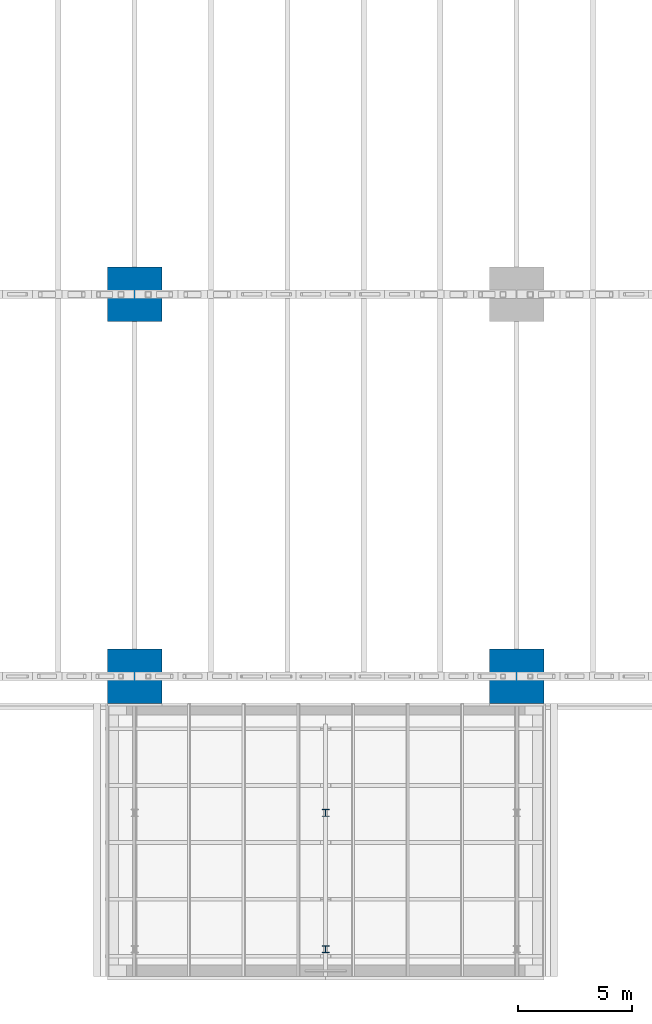
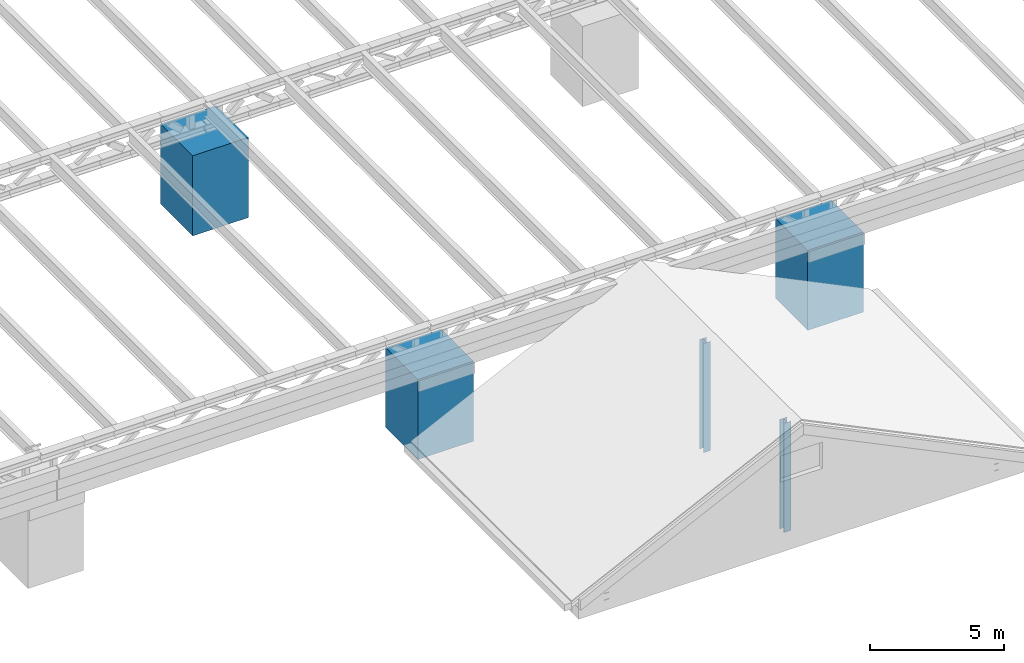
# One storey, part 5 of 93: 5 columns.
"""IFC4 building model written with IfcOpenShell, lengths in metres."""

from ifc_helpers import new_model, si_unit, direction, frame, origin, origin_2d, place, context, subcontext, project, spatial, rectangle, i_section, extrude, material, material_profile, profile_set, type_object, element, save


model = new_model("IFC4")

# Units and contexts
model_context = context("Model", 3, precision=1e-05, world=origin(), true_north=direction((0.0, 1.0)))
body_context = subcontext(model_context, "Body", "Model", "MODEL_VIEW")
ifc_project = project(units=[si_unit("LENGTHUNIT", "METRE"), si_unit("AREAUNIT", "SQUARE_METRE"), si_unit("VOLUMEUNIT", "CUBIC_METRE"), si_unit("PLANEANGLEUNIT", "RADIAN"), si_unit("MASSUNIT", "GRAM", prefix="KILO")], contexts=[model_context])

# Site, building, storey
site_placement = place(None, origin())
site = spatial("IfcSite", under=ifc_project, at=site_placement, CompositionType="ELEMENT")
building_placement = place(site_placement, origin())
building = spatial("IfcBuilding", under=site, at=building_placement, Name="Verrick Yard Athletic Hall", CompositionType="ELEMENT")
storey_placement = place(building_placement, frame((0.0, 0.0, 8.800048828125)))
storey = spatial("IfcBuildingStorey", under=building, at=storey_placement, Name="L02", CompositionType="ELEMENT", Elevation=8.800048828125)

# Columns
ifc_material_1 = material(Name="Concrete 35 MPa", Category="concrete")
ifc_material_profile_1 = material_profile(ifc_material_1, rectangle(XDim=2.39990234375, YDim=2.39990234375, at=origin_2d()), Name="STR Buttress pier PR1")
ifc_profile_set_1 = profile_set([ifc_material_profile_1], Name="Concrete 35 MPa")
column_type_1 = type_object("IfcColumnType", Name="STR Buttress pier PR1", PredefinedType="COLUMN", material=ifc_profile_set_1)
for number, where, z_axis, x_axis, name in (
    (1, (90.39990234375, 19.199951171875, 0.0), (0.0, 0.0, 1.0), (1.0, 0.0, 0.0), "Buttress pier P4A"),
    (2, (107.199951171875, 19.199951171875, 0.0), (0.0, 0.0, 1.0), (1.0, 0.0, 0.0), "Buttress pier P5A"),
    (3, (90.39990234375, 36.0, 0.0), (0.0, 0.0, 1.0), (1.0, 0.0, 0.0), "Buttress pier P4B"),
):
    element("IfcColumn", number, at=place(storey_placement, frame(where, z_axis=z_axis, x_axis=x_axis)), inside=storey, type_object=column_type_1, Name=name, PredefinedType="COLUMN", context=body_context, shape_type="SweptSolid", body=[
        extrude(rectangle(XDim=2.39990234375, YDim=2.39990234375, at=origin_2d()), origin(), (0.0, 0.0, 1.0), 3.64990234375),
    ])
ifc_material_2 = material(Name="Structural steel 350W (CSA G40.21)", Category="steel")
ifc_material_profile_2 = material_profile(ifc_material_2, i_section(OverallWidth=0.305908203125, OverallDepth=0.31103515625, WebThickness=0.010986328125, FlangeThickness=0.01708984375, at=origin_2d()), Name="W310x107")
ifc_profile_set_2 = profile_set([ifc_material_profile_2], Name="Structural steel 350W (CSA G40.21)")
column_type_2 = type_object("IfcColumnType", Name="STR Foyer column W310x107", PredefinedType="COLUMN", material=ifc_profile_set_2)
for number, where, z_axis, x_axis, name in (
    (4, (98.800048828125, 7.199951171875, 0.0), (0.0, 0.0, 1.0), (1.0, 0.0, 0.0), "Foyer column FC21"),
    (5, (98.800048828125, 13.199951171875, 0.0), (0.0, 0.0, 1.0), (1.0, 0.0, 0.0), "Foyer column FC22"),
):
    element("IfcColumn", number, at=place(storey_placement, frame(where, z_axis=z_axis, x_axis=x_axis)), inside=storey, type_object=column_type_2, Name=name, PredefinedType="COLUMN", context=body_context, shape_type="SweptSolid", body=[
        extrude(i_section(OverallWidth=0.305908203125, OverallDepth=0.31103515625, WebThickness=0.010986328125, FlangeThickness=0.01708984375, at=origin_2d()), origin(), (0.0, 0.0, 1.0), 4.9814453125),
    ])

save(model, "model.ifc")
